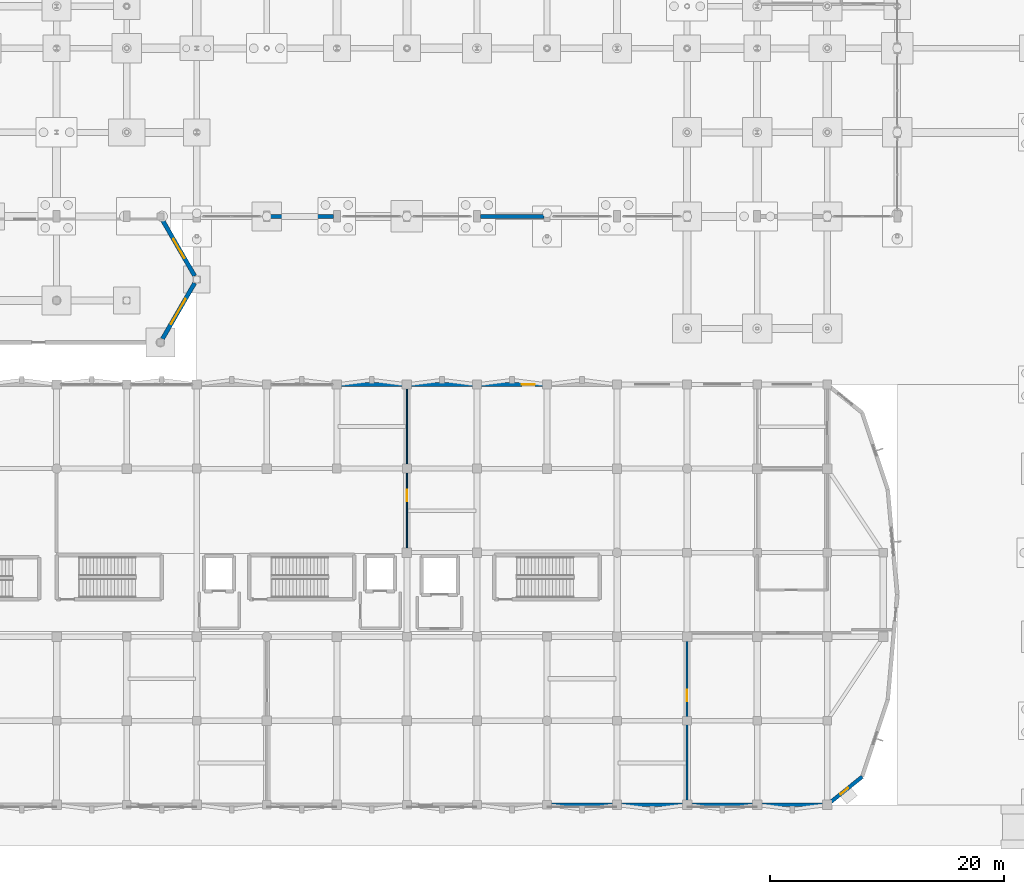
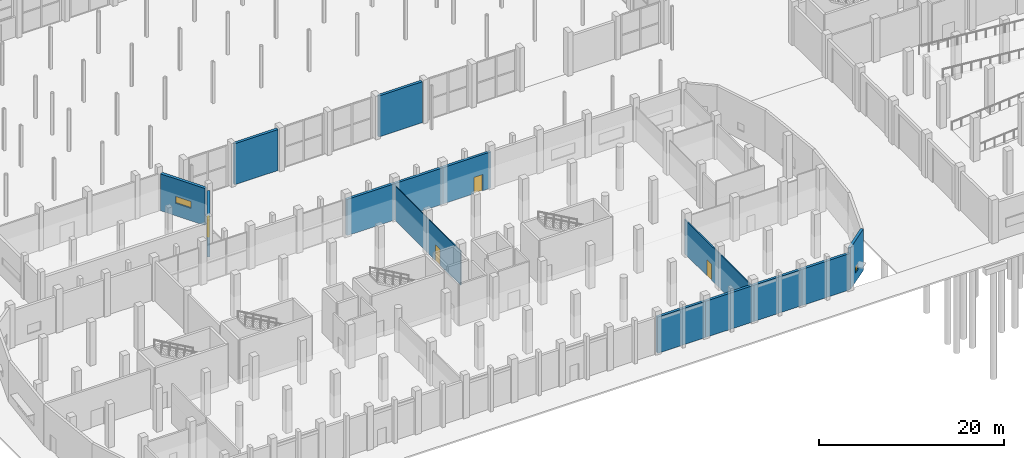
# One storey, part 77 of 103: 14 walls, 3 doors, 3 windows, 6 openings.
"""IFC4 building model written with IfcOpenShell, lengths in metres."""

from ifc_helpers import new_model, si_unit, direction, frame, frame_2d, origin, place, context, subcontext, project, spatial, rectangle, extrude, material, layer, layer_set, type_object, element, fill, save


model = new_model("IFC4")

# Units and contexts
model_context = context("Model", 3, precision=1e-05, world=origin(), true_north=direction((0.0, 1.0)))
body_context = subcontext(model_context, "Body", "Model", "MODEL_VIEW")
ifc_project = project(units=[si_unit("LENGTHUNIT", "METRE"), si_unit("AREAUNIT", "SQUARE_METRE"), si_unit("VOLUMEUNIT", "CUBIC_METRE"), si_unit("PLANEANGLEUNIT", "RADIAN"), si_unit("MASSUNIT", "GRAM", prefix="KILO")], contexts=[model_context])

# Site, building, storey
site_placement = place(None, origin())
site = spatial("IfcSite", under=ifc_project, at=site_placement, CompositionType="ELEMENT")
building_placement = place(site_placement, origin())
building = spatial("IfcBuilding", under=site, at=building_placement, Name="Dunvalen Ferry Terminal", CompositionType="ELEMENT")
storey_placement = place(building_placement, origin())
storey = spatial("IfcBuildingStorey", under=building, at=storey_placement, Name="L00", CompositionType="ELEMENT", Elevation=0.0)

# Wall, opening, window
ifc_material_1 = material(Name="Precast concrete C40/50", Category="concrete")
ifc_layer_1 = layer(ifc_material_1, 0.360107421875, Name="Precast concrete C40/50")
ifc_layer_set_1 = layer_set([ifc_layer_1], Name="Precast concrete C40/50")
wall_type_1 = type_object("IfcWallType", Name="ENV-WL-ANX360", PredefinedType="SOLIDWALL", material=ifc_layer_set_1)
wall_1_placement = place(storey_placement, frame((33.057373046875, 39.903076171875, 0.0), z_axis=(0.0, 0.0, 1.0), x_axis=(0.499971886711, 0.866041634391, 0.0)))
wall_1 = element("IfcWall", 1, at=wall_1_placement, inside=storey, type_object=wall_type_1, Name="L00 V1ASW Faceted Precast Wall 02", PredefinedType="SOLIDWALL", context=body_context, shape_type="SweptSolid", body=[
    extrude(rectangle(XDim=5.535400390625, YDim=0.360107421875, at=frame_2d((2.767578125, 0.0))), origin(), (0.0, 0.0, 1.0), 4.8701171875),
])
opening_1_placement = place(wall_1_placement, frame((1.465576171875, 0.0, 1.64990234375)))
opening_1 = element("IfcOpeningElement", 2, at=opening_1_placement, cuts=wall_1, Name="Opening W-15", PredefinedType="OPENING", context=body_context, shape_type="SweptSolid", body=[
    extrude(rectangle(XDim=2.5, YDim=0.89990234375, at=frame_2d((1.25, 0.449951171875))), frame((0.0, 0.18994140625, 0.0), z_axis=(0.0, -1.0, 0.0), x_axis=(1.0, 0.0, 0.0)), (0.0, 0.0, 1.0), 0.380126953125),
])
ifc_material_2 = material(Name="Thermally broken aluminium and double glazing", Category="aluminium")
window_type_1 = type_object("IfcWindowType", Name="ENV-WIN-CLR-15", PartitioningType="SINGLE_PANEL", PredefinedType="WINDOW", material=ifc_material_2)
window_1_placement = place(opening_1_placement, origin())
window_1 = element("IfcWindow", 3, at=window_1_placement, inside=storey, type_object=window_type_1, Name="L00 V1ASW Clerestory Window 02", OverallHeight=0.89990234375, OverallWidth=2.5, PartitioningType="SINGLE_PANEL", PredefinedType="WINDOW", context=body_context, shape_type="SweptSolid", body=[
    extrude(rectangle(XDim=2.5, YDim=0.89990234375, at=frame_2d((1.25, 0.449951171875))), frame((0.0, 0.030029296875, 0.0), z_axis=(0.0, -1.0, 0.0), x_axis=(1.0, 0.0, 0.0)), (0.0, 0.0, 1.0), 0.06005859375),
])
fill(opening_1, window_1)

wall_2_placement = place(storey_placement, frame((35.824951171875, 45.302978515625, 0.0), z_axis=(0.0, 0.0, 1.0), x_axis=(-0.499971886711, 0.866041634391, 0.0)))
wall_2 = element("IfcWall", 4, at=wall_2_placement, inside=storey, type_object=wall_type_1, Name="L00 V1ASW Faceted Precast Wall 03", PredefinedType="SOLIDWALL", context=body_context, shape_type="SweptSolid", body=[
    extrude(rectangle(XDim=5.535400390625, YDim=0.360107421875, at=frame_2d((2.767578125, 0.0))), origin(), (0.0, 0.0, 1.0), 4.8701171875),
])
opening_2_placement = place(wall_2_placement, frame((1.76611328125, 0.0, 1.64990234375)))
opening_2 = element("IfcOpeningElement", 5, at=opening_2_placement, cuts=wall_2, Name="Opening W-16", PredefinedType="OPENING", context=body_context, shape_type="SweptSolid", body=[
    extrude(rectangle(XDim=1.89990234375, YDim=0.89990234375, at=frame_2d((0.949951171875, 0.449951171875))), frame((0.0, 0.18994140625, 0.0), z_axis=(0.0, -1.0, 0.0), x_axis=(1.0, 0.0, 0.0)), (0.0, 0.0, 1.0), 0.380126953125),
])
window_type_2 = type_object("IfcWindowType", Name="ENV-WIN-CLR-16", PartitioningType="SINGLE_PANEL", PredefinedType="WINDOW", material=ifc_material_2)
window_2_placement = place(opening_2_placement, origin())
window_2 = element("IfcWindow", 6, at=window_2_placement, inside=storey, type_object=window_type_2, Name="L00 V1ASW Clerestory Window 03", OverallHeight=0.89990234375, OverallWidth=1.89990234375, PartitioningType="SINGLE_PANEL", PredefinedType="WINDOW", context=body_context, shape_type="SweptSolid", body=[
    extrude(rectangle(XDim=1.89990234375, YDim=0.89990234375, at=frame_2d((0.949951171875, 0.449951171875))), frame((0.0, 0.030029296875, 0.0), z_axis=(0.0, -1.0, 0.0), x_axis=(1.0, 0.0, 0.0)), (0.0, 0.0, 1.0), 0.06005859375),
])
fill(opening_2, window_2)

# Walls
ifc_layer_2 = layer(ifc_material_1, 0.320068359375, Name="Precast concrete C40/50")
ifc_layer_set_2 = layer_set([ifc_layer_2], Name="Precast concrete C40/50")
wall_type_2 = type_object("IfcWallType", Name="ENV-WL-SPN320", PredefinedType="SOLIDWALL", material=ifc_layer_set_2)
for number, where, z_axis, x_axis, name in (
    (7, (66.0, 0.0, 0.0), (0.0, 0.0, 1.0), (1.0, 0.0, 0.0), "L00 Streamline Moderne Facade Wall 01.11"),
    (8, (72.0, 0.0, 0.0), (0.0, 0.0, 1.0), (1.0, 0.0, 0.0), "L00 Streamline Moderne Facade Wall 01.12"),
    (9, (78.0, 0.0, 0.0), (0.0, 0.0, 1.0), (1.0, 0.0, 0.0), "L00 Streamline Moderne Facade Wall 01.13"),
    (10, (84.0, 0.0, 0.0), (0.0, 0.0, 1.0), (1.0, 0.0, 0.0), "L00 Streamline Moderne Facade Wall 01.14"),
):
    element("IfcWall", number, at=place(storey_placement, frame(where, z_axis=z_axis, x_axis=x_axis)), inside=storey, type_object=wall_type_2, Name=name, PredefinedType="SOLIDWALL", context=body_context, shape_type="SweptSolid", body=[
        extrude(rectangle(XDim=6.0, YDim=0.320068359375, at=frame_2d((3.0, 0.0))), origin(), (0.0, 0.0, 1.0), 4.7900390625),
    ])

# Wall, opening, window
wall_3_placement = place(storey_placement, frame((90.0, 0.0, 0.0), z_axis=(0.0, 0.0, 1.0), x_axis=(0.779393889884, 0.626534248395, 0.0)))
wall_3 = element("IfcWall", 11, at=wall_3_placement, inside=storey, type_object=wall_type_2, Name="L00 Streamline Moderne Facade Wall 02.01", PredefinedType="SOLIDWALL", context=body_context, shape_type="SweptSolid", body=[
    extrude(rectangle(XDim=3.84912109375, YDim=0.320068359375, at=frame_2d((1.924560546875, 0.0))), origin(), (0.0, 0.0, 1.0), 5.4599609375),
])
opening_3_placement = place(wall_3_placement, frame((1.4482421875, 0.0, 1.14990234375)))
opening_3 = element("IfcOpeningElement", 12, at=opening_3_placement, cuts=wall_3, Name="Opening W-20", PredefinedType="OPENING", context=body_context, shape_type="SweptSolid", body=[
    extrude(rectangle(XDim=0.85009765625, YDim=0.85009765625, at=frame_2d((0.425048828125, 0.425048828125))), frame((0.0, 0.169921875, 0.0), z_axis=(0.0, -1.0, 0.0), x_axis=(1.0, 0.0, 0.0)), (0.0, 0.0, 1.0), 0.340087890625),
])
window_type_3 = type_object("IfcWindowType", Name="ENV-WIN-PRT-20", PartitioningType="SINGLE_PANEL", PredefinedType="WINDOW", material=ifc_material_2)
window_3_placement = place(opening_3_placement, origin())
window_3 = element("IfcWindow", 13, at=window_3_placement, inside=storey, type_object=window_type_3, Name="L00 Streamline Ribbon Window 02.01", OverallHeight=0.85009765625, OverallWidth=0.85009765625, PartitioningType="SINGLE_PANEL", PredefinedType="WINDOW", context=body_context, shape_type="SweptSolid", body=[
    extrude(rectangle(XDim=0.85009765625, YDim=0.85009765625, at=frame_2d((0.425048828125, 0.425048828125))), frame((0.0, 0.030029296875, 0.0), z_axis=(0.0, -1.0, 0.0), x_axis=(1.0, 0.0, 0.0)), (0.0, 0.0, 1.0), 0.06005859375),
])
fill(opening_3, window_3)

# Wall, opening, door
wall_4_placement = place(storey_placement, frame((66.0, 36.0, 0.0), z_axis=(0.0, 0.0, 1.0), x_axis=(-1.0, 0.0, 0.0)))
wall_4 = element("IfcWall", 14, at=wall_4_placement, inside=storey, type_object=wall_type_2, Name="L00 Streamline Moderne Facade Wall 08.05", PredefinedType="SOLIDWALL", context=body_context, shape_type="SweptSolid", body=[
    extrude(rectangle(XDim=6.0, YDim=0.320068359375, at=frame_2d((3.0, 0.0))), origin(), (0.0, 0.0, 1.0), 4.7900390625),
])
opening_4_placement = place(wall_4_placement, frame((1.050048828125, 0.0, 0.0)))
opening_4 = element("IfcOpeningElement", 15, at=opening_4_placement, cuts=wall_4, Name="Opening ED-06", PredefinedType="OPENING", context=body_context, shape_type="SweptSolid", body=[
    extrude(rectangle(XDim=1.10009765625, YDim=2.14990234375, at=frame_2d((0.550048828125, 1.074951171875))), frame((0.0, 0.169921875, 0.0), z_axis=(0.0, -1.0, 0.0), x_axis=(1.0, 0.0, 0.0)), (0.0, 0.0, 1.0), 0.340087890625),
])
ifc_material_3 = material(Name="Marine grade powder-coated aluminium and laminated glass", Category="aluminium")
door_type_1 = type_object("IfcDoorType", Name="ENV-DR-EXT-1100", OperationType="NOTDEFINED", PredefinedType="DOOR", material=ifc_material_3)
door_1_placement = place(opening_4_placement, frame((1.10009765625, 0.0, 0.0), z_axis=(0.0, 0.0, 1.0), x_axis=(-1.0, 0.0, 0.0)))
door_1 = element("IfcDoor", 16, at=door_1_placement, inside=storey, type_object=door_type_1, Name="L00 Maritime Wing Exterior Exit Door 08-05", OperationType="SINGLE_SWING_LEFT", OverallHeight=2.14990234375, OverallWidth=1.10009765625, PredefinedType="DOOR", context=body_context, shape_type="SweptSolid", body=[
    extrude(rectangle(XDim=1.10009765625, YDim=2.14990234375, at=frame_2d((0.550048828125, 1.074951171875))), frame((0.0, 0.02490234375, 0.0), z_axis=(0.0, -1.0, 0.0), x_axis=(1.0, 0.0, 0.0)), (0.0, 0.0, 1.0), 0.050048828125),
])
fill(opening_4, door_1)

# Walls
for number, where, z_axis, x_axis, name in (
    (17, (60.0, 36.0, 0.0), (0.0, 0.0, 1.0), (-1.0, 0.0, 0.0), "L00 Streamline Moderne Facade Wall 08.06"),
    (18, (54.0, 36.0, 0.0), (0.0, 0.0, 1.0), (-1.0, 0.0, 0.0), "L00 Streamline Moderne Facade Wall 08.07"),
):
    element("IfcWall", number, at=place(storey_placement, frame(where, z_axis=z_axis, x_axis=x_axis)), inside=storey, type_object=wall_type_2, Name=name, PredefinedType="SOLIDWALL", context=body_context, shape_type="SweptSolid", body=[
        extrude(rectangle(XDim=6.0, YDim=0.320068359375, at=frame_2d((3.0, 0.0))), origin(), (0.0, 0.0, 1.0), 4.7900390625),
    ])
ifc_layer_3 = layer(ifc_material_1, 0.340087890625, Name="Precast concrete C40/50")
ifc_layer_set_3 = layer_set([ifc_layer_3], Name="Precast concrete C40/50")
wall_type_3 = type_object("IfcWallType", Name="ENV-WL-SPN340", PredefinedType="SOLIDWALL", material=ifc_layer_set_3)
for number, where, z_axis, x_axis, name in (
    (19, (42.277099609375, 50.39990234375, 0.0), (0.0, 0.0, 1.0), (1.0, 0.0, 0.0), "L00 Departure Hall South Entrance Portal Wall 02"),
    (20, (60.302001953125, 50.39990234375, 0.0), (0.0, 0.0, 1.0), (1.0, 0.0, 0.0), "L00 Departure Hall South Entrance Portal Wall 05"),
):
    element("IfcWall", number, at=place(storey_placement, frame(where, z_axis=z_axis, x_axis=x_axis)), inside=storey, type_object=wall_type_3, Name=name, PredefinedType="SOLIDWALL", context=body_context, shape_type="SweptSolid", body=[
        extrude(rectangle(XDim=5.4208984375, YDim=0.340087890625, at=frame_2d((2.71044921875, 0.0))), origin(), (0.0, 0.0, 1.0), 5.409912109375),
    ])

# Wall, opening, door
ifc_material_4 = material(Name="Framed acoustic glass partition", Category="glass")
ifc_layer_4 = layer(ifc_material_4, 0.10498046875, Name="Framed acoustic glass partition")
ifc_layer_set_4 = layer_set([ifc_layer_4], Name="Framed acoustic glass partition")
wall_type_4 = type_object("IfcWallType", Name="INT-WL-GLZ105", PredefinedType="PARTITIONING", material=ifc_layer_set_4)
wall_5_placement = place(storey_placement, frame((54.0, 35.780029296875, 0.0), z_axis=(0.0, 0.0, 1.0), x_axis=(0.0, -1.0, 0.0)))
wall_5 = element("IfcWall", 21, at=wall_5_placement, inside=storey, type_object=wall_type_4, Name="L00 L00 Ferry Crew Briefing and Muster Suite Partition 2", PredefinedType="PARTITIONING", context=body_context, shape_type="SweptSolid", body=[
    extrude(rectangle(XDim=14.179931640625, YDim=0.10498046875, at=frame_2d((7.08984375, 0.0))), origin(), (0.0, 0.0, 1.0), 4.5400390625),
])
opening_5_placement = place(wall_5_placement, frame((8.773681640625, 0.0, 0.0)))
opening_5 = element("IfcOpeningElement", 22, at=opening_5_placement, cuts=wall_5, Name="Opening ID-10", PredefinedType="OPENING", context=body_context, shape_type="SweptSolid", body=[
    extrude(rectangle(XDim=1.0, YDim=2.1201171875, at=frame_2d((0.5, 1.06005859375))), frame((0.0, 0.0625, 0.0), z_axis=(0.0, -1.0, 0.0), x_axis=(1.0, 0.0, 0.0)), (0.0, 0.0, 1.0), 0.125),
])
ifc_material_5 = material(Name="FSC European oak acoustic fire door", Category="wood")
door_type_2 = type_object("IfcDoorType", Name="INT-DR-OFF-1000", OperationType="NOTDEFINED", PredefinedType="DOOR", material=ifc_material_5)
door_2_placement = place(opening_5_placement, origin())
door_2 = element("IfcDoor", 23, at=door_2_placement, inside=storey, type_object=door_type_2, Name="L00 Ferry Crew Briefing and Muster Suite Door", OperationType="SINGLE_SWING_RIGHT", OverallHeight=2.1201171875, OverallWidth=1.0, PredefinedType="DOOR", context=body_context, shape_type="SweptSolid", body=[
    extrude(rectangle(XDim=1.0, YDim=2.1201171875, at=frame_2d((0.5, 1.06005859375))), frame((0.0, 0.02490234375, 0.0), z_axis=(0.0, -1.0, 0.0), x_axis=(1.0, 0.0, 0.0)), (0.0, 0.0, 1.0), 0.050048828125),
])
fill(opening_5, door_2)

ifc_material_6 = material(Name="Metal-stud acoustic gypsum partition", Category="gypsum")
ifc_layer_5 = layer(ifc_material_6, 0.14990234375, Name="Metal-stud acoustic gypsum partition")
ifc_layer_set_5 = layer_set([ifc_layer_5], Name="Metal-stud acoustic gypsum partition")
wall_type_5 = type_object("IfcWallType", Name="INT-WL-PRT150", PredefinedType="PARTITIONING", material=ifc_layer_set_5)
wall_6_placement = place(storey_placement, frame((78.0, 0.219970703125, 0.0), z_axis=(0.0, 0.0, 1.0), x_axis=(0.0, 1.0, 0.0)))
wall_6 = element("IfcWall", 24, at=wall_6_placement, inside=storey, type_object=wall_type_5, Name="L00 L00 Shipping Line Operations and Ferry Dispatch Suite Partition 3", PredefinedType="PARTITIONING", context=body_context, shape_type="SweptSolid", body=[
    extrude(rectangle(XDim=14.52001953125, YDim=0.14990234375, at=frame_2d((7.260009765625, 0.0))), origin(), (0.0, 0.0, 1.0), 4.5400390625),
])
opening_6_placement = place(wall_6_placement, frame((8.648193359375, 0.0, 0.0)))
opening_6 = element("IfcOpeningElement", 25, at=opening_6_placement, cuts=wall_6, Name="Opening ID-10", PredefinedType="OPENING", context=body_context, shape_type="SweptSolid", body=[
    extrude(rectangle(XDim=1.0, YDim=2.1201171875, at=frame_2d((0.5, 1.06005859375))), frame((0.0, 0.0849609375, 0.0), z_axis=(0.0, -1.0, 0.0), x_axis=(1.0, 0.0, 0.0)), (0.0, 0.0, 1.0), 0.169921875),
])
door_3_placement = place(opening_6_placement, origin())
door_3 = element("IfcDoor", 26, at=door_3_placement, inside=storey, type_object=door_type_2, Name="L00 Shipping Line Operations and Ferry Dispatch Suite Door", OperationType="SINGLE_SWING_RIGHT", OverallHeight=2.1201171875, OverallWidth=1.0, PredefinedType="DOOR", context=body_context, shape_type="SweptSolid", body=[
    extrude(rectangle(XDim=1.0, YDim=2.1201171875, at=frame_2d((0.5, 1.06005859375))), frame((0.0, 0.02490234375, 0.0), z_axis=(0.0, -1.0, 0.0), x_axis=(1.0, 0.0, 0.0)), (0.0, 0.0, 1.0), 0.050048828125),
])
fill(opening_6, door_3)

save(model, "model.ifc")
